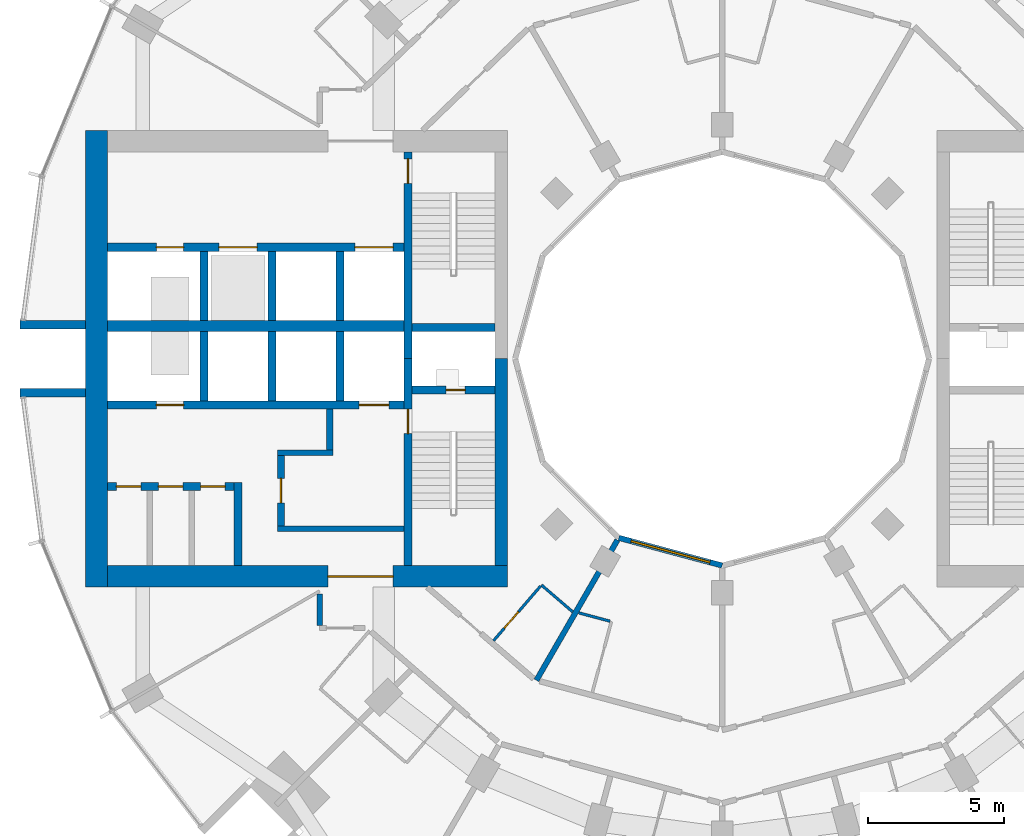
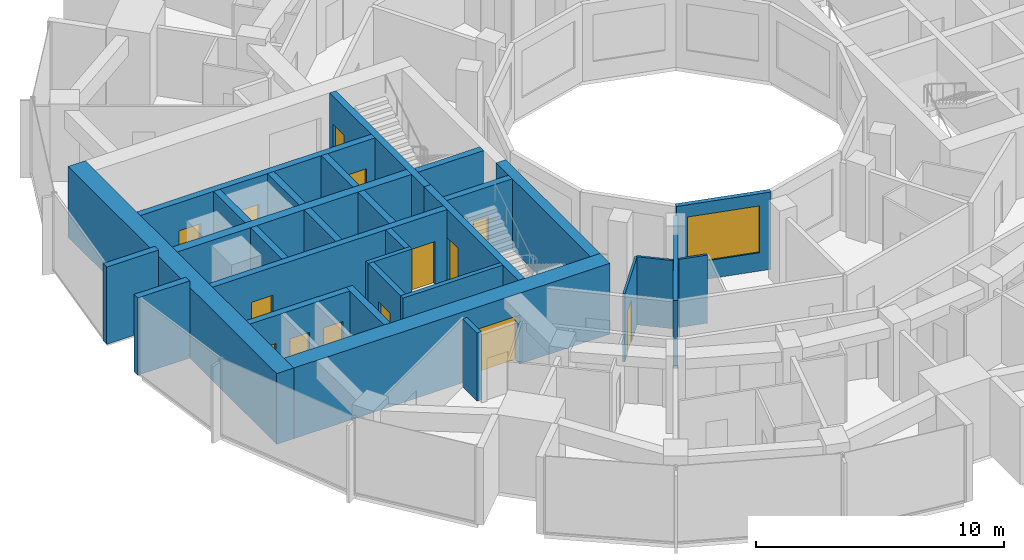
# One storey, part 9 of 15: 30 walls, 14 doors, 1 window, 15 openings.
"""IFC4 building model written with IfcOpenShell, lengths in metres."""

from ifc_helpers import new_model, si_unit, direction, frame, frame_2d, origin, place, context, subcontext, project, spatial, rectangle, extrude, material, layer, layer_set, type_object, element, fill, save


model = new_model("IFC4")

# Units and contexts
model_context = context("Model", 3, precision=1e-05, world=origin(), true_north=direction((0.0, 1.0)))
body_context = subcontext(model_context, "Body", "Model", "MODEL_VIEW")
ifc_project = project(units=[si_unit("LENGTHUNIT", "METRE"), si_unit("AREAUNIT", "SQUARE_METRE"), si_unit("VOLUMEUNIT", "CUBIC_METRE"), si_unit("PLANEANGLEUNIT", "RADIAN"), si_unit("MASSUNIT", "GRAM", prefix="KILO")], contexts=[model_context])

# Site, building, storey
site_placement = place(None, origin())
site = spatial("IfcSite", under=ifc_project, at=site_placement, CompositionType="ELEMENT")
building_placement = place(site_placement, origin())
building = spatial("IfcBuilding", under=site, at=building_placement, Name="Torre Brocal", CompositionType="ELEMENT")
storey_placement = place(building_placement, frame((0.0, 0.0, 59.199951171875)))
storey = spatial("IfcBuildingStorey", under=building, at=storey_placement, Name="L13", CompositionType="ELEMENT", Elevation=59.199951171875)

# Walls
ifc_material_1 = material(Name="Concrete C80", Category="concrete")
ifc_layer_1 = layer(ifc_material_1, 0.199951171875)
ifc_layer_set_1 = layer_set([ifc_layer_1], Name="Concrete C80")
wall_type_1 = type_object("IfcWallType", Name="CORE WALL 200 C80", PredefinedType="SHEAR", material=ifc_layer_set_1)
wall_1_placement = place(storey_placement, frame((68.300048828125, 68.75, 0.0), z_axis=(0.0, 0.0, 1.0), x_axis=(-1.0, 0.0, 0.0)))
element("IfcWall", 1, at=wall_1_placement, inside=storey, type_object=wall_type_1, Name="Wall CW200-80", PredefinedType="SHEAR", context=body_context, shape_type="SweptSolid", body=[
    extrude(rectangle(XDim=4.650146484375, YDim=0.199951171875, at=frame_2d((2.3251953125, 0.0))), origin(), (0.0, 0.0, 1.0), 3.47998046875),
])
wall_2_placement = place(storey_placement, frame((65.699951171875, 71.550048828125, 0.0), z_axis=(0.0, 0.0, 1.0), x_axis=(-1.0, 0.0, 0.0)))
element("IfcWall", 2, at=wall_2_placement, inside=storey, type_object=wall_type_1, Name="Wall CW200-80", PredefinedType="SHEAR", context=body_context, shape_type="SweptSolid", body=[
    extrude(rectangle(XDim=2.050048828125, YDim=0.199951171875, at=frame_2d((1.02490234375, 0.0))), origin(), (0.0, 0.0, 1.0), 3.47998046875),
])

# Wall, opening, door
ifc_material_2 = material(Name="Concrete C80", Category="concrete")
ifc_layer_2 = layer(ifc_material_2, 0.25)
ifc_layer_set_2 = layer_set([ifc_layer_2], Name="Concrete C80")
wall_type_2 = type_object("IfcWallType", Name="CORE WALL 250 C80", PredefinedType="SHEAR", material=ifc_layer_set_2)
wall_3_placement = place(storey_placement, frame((63.77490234375, 71.449951171875, 0.0), z_axis=(0.0, 0.0, 1.0), x_axis=(0.0, -1.0, 0.0)))
wall_3 = element("IfcWall", 3, at=wall_3_placement, inside=storey, type_object=wall_type_2, Name="Wall CW250-80", PredefinedType="SHEAR", context=body_context, shape_type="SweptSolid", body=[
    extrude(rectangle(XDim=2.599853515625, YDim=0.25, at=frame_2d((1.2998046875, 0.0))), origin(), (0.0, 0.0, 1.0), 3.47998046875),
])
opening_1_placement = place(wall_3_placement, frame((0.85009765625, 0.0, 0.0)))
opening_1 = element("IfcOpeningElement", 4, at=opening_1_placement, cuts=wall_3, Name="Opening W-D15", PredefinedType="OPENING", context=body_context, shape_type="SweptSolid", body=[
    extrude(rectangle(XDim=0.89990234375, YDim=2.10009765625, at=frame_2d((0.449951171875, 1.050048828125))), frame((0.0, 0.135009765625, 0.0), z_axis=(0.0, -1.0, 0.0), x_axis=(1.0, 0.0, 0.0)), (0.0, 0.0, 1.0), 0.27001953125),
])
ifc_material_3 = material(Name="Steel A653", Category="steel")
door_type_1 = type_object("IfcDoorType", Name="LOBBY DOOR FD120 900X2100", OperationType="SINGLE_SWING_RIGHT", PredefinedType="DOOR", material=ifc_material_3)
door_1_placement = place(opening_1_placement, origin())
door_1 = element("IfcDoor", 5, at=door_1_placement, inside=storey, type_object=door_type_1, Name="Door W-D15", OperationType="SINGLE_SWING_LEFT", OverallHeight=2.10009765625, OverallWidth=0.89990234375, PredefinedType="DOOR", context=body_context, shape_type="SweptSolid", body=[
    extrude(rectangle(XDim=0.89990234375, YDim=2.10009765625, at=frame_2d((0.449951171875, 1.050048828125))), frame((0.0, 0.02490234375, 0.0), z_axis=(0.0, -1.0, 0.0), x_axis=(1.0, 0.0, 0.0)), (0.0, 0.0, 1.0), 0.050048828125),
])
fill(opening_1, door_1)

# Wall
wall_4_placement = place(storey_placement, frame((65.574951171875, 73.14990234375, 0.0), z_axis=(0.0, 0.0, 1.0), x_axis=(0.0, -1.0, 0.0)))
element("IfcWall", 6, at=wall_4_placement, inside=storey, type_object=wall_type_2, Name="Wall CW250-80", PredefinedType="SHEAR", context=body_context, shape_type="SweptSolid", body=[
    extrude(rectangle(XDim=1.5, YDim=0.25, at=frame_2d((0.75, 0.0))), origin(), (0.0, 0.0, 1.0), 3.47998046875),
])

# Wall, opening, door
ifc_material_4 = material(Name="Concrete C80", Category="concrete")
ifc_layer_3 = layer(ifc_material_4, 0.300048828125)
ifc_layer_set_3 = layer_set([ifc_layer_3], Name="Concrete C80")
wall_type_3 = type_object("IfcWallType", Name="CORE WALL 300 C80", PredefinedType="SHEAR", material=ifc_layer_set_3)
wall_5_placement = place(storey_placement, frame((68.449951171875, 75.0, 0.0), z_axis=(0.0, 0.0, 1.0), x_axis=(0.0, -1.0, 0.0)))
wall_5 = element("IfcWall", 7, at=wall_5_placement, inside=storey, type_object=wall_type_3, Name="Wall CW300-80", PredefinedType="SHEAR", context=body_context, shape_type="SweptSolid", body=[
    extrude(rectangle(XDim=7.60009765625, YDim=0.300048828125, at=frame_2d((3.800048828125, 0.0))), origin(), (0.0, 0.0, 1.0), 3.47998046875),
])
opening_2_placement = place(wall_5_placement, frame((1.85009765625, 0.0, 0.0)))
opening_2 = element("IfcOpeningElement", 8, at=opening_2_placement, cuts=wall_5, Name="Opening W-D02", PredefinedType="OPENING", context=body_context, shape_type="SweptSolid", body=[
    extrude(rectangle(XDim=0.89990234375, YDim=2.10009765625, at=frame_2d((0.449951171875, 1.050048828125))), frame((0.0, 0.159912109375, 0.0), z_axis=(0.0, -1.0, 0.0), x_axis=(1.0, 0.0, 0.0)), (0.0, 0.0, 1.0), 0.320068359375),
])
ifc_material_5 = material(Name="Steel A653", Category="steel")
door_type_2 = type_object("IfcDoorType", Name="STAIR DOOR FD120 900X2100", OperationType="SINGLE_SWING_RIGHT", PredefinedType="DOOR", material=ifc_material_5)
door_2_placement = place(opening_2_placement, origin())
door_2 = element("IfcDoor", 9, at=door_2_placement, inside=storey, type_object=door_type_2, Name="Door W-D02", OperationType="SINGLE_SWING_LEFT", OverallHeight=2.10009765625, OverallWidth=0.89990234375, PredefinedType="DOOR", context=body_context, shape_type="SweptSolid", body=[
    extrude(rectangle(XDim=0.89990234375, YDim=2.10009765625, at=frame_2d((0.449951171875, 1.050048828125))), frame((0.0, 0.02490234375, 0.0), z_axis=(0.0, -1.0, 0.0), x_axis=(1.0, 0.0, 0.0)), (0.0, 0.0, 1.0), 0.050048828125),
])
fill(opening_2, door_2)

wall_6_placement = place(storey_placement, frame((68.449951171875, 82.60009765625, 0.0), z_axis=(0.0, 0.0, 1.0), x_axis=(0.0, -1.0, 0.0)))
wall_6 = element("IfcWall", 10, at=wall_6_placement, inside=storey, type_object=wall_type_3, Name="Wall CW300-80", PredefinedType="SHEAR", context=body_context, shape_type="SweptSolid", body=[
    extrude(rectangle(XDim=7.60009765625, YDim=0.300048828125, at=frame_2d((3.800048828125, 0.0))), origin(), (0.0, 0.0, 1.0), 3.47998046875),
])
opening_3_placement = place(wall_6_placement, frame((0.25, 0.0, 0.0)))
opening_3 = element("IfcOpeningElement", 11, at=opening_3_placement, cuts=wall_6, Name="Opening W-D03", PredefinedType="OPENING", context=body_context, shape_type="SweptSolid", body=[
    extrude(rectangle(XDim=0.89990234375, YDim=2.10009765625, at=frame_2d((0.449951171875, 1.050048828125))), frame((0.0, 0.159912109375, 0.0), z_axis=(0.0, -1.0, 0.0), x_axis=(1.0, 0.0, 0.0)), (0.0, 0.0, 1.0), 0.320068359375),
])
door_3_placement = place(opening_3_placement, origin())
door_3 = element("IfcDoor", 12, at=door_3_placement, inside=storey, type_object=door_type_2, Name="Door W-D03", OperationType="SINGLE_SWING_LEFT", OverallHeight=2.10009765625, OverallWidth=0.89990234375, PredefinedType="DOOR", context=body_context, shape_type="SweptSolid", body=[
    extrude(rectangle(XDim=0.89990234375, YDim=2.10009765625, at=frame_2d((0.449951171875, 1.050048828125))), frame((0.0, 0.02490234375, 0.0), z_axis=(0.0, -1.0, 0.0), x_axis=(1.0, 0.0, 0.0)), (0.0, 0.0, 1.0), 0.050048828125),
])
fill(opening_3, door_3)

wall_7_placement = place(storey_placement, frame((71.64990234375, 73.85009765625, 0.0), z_axis=(0.0, 0.0, 1.0), x_axis=(-1.0, 0.0, 0.0)))
wall_7 = element("IfcWall", 13, at=wall_7_placement, inside=storey, type_object=wall_type_3, Name="Wall CW300-80", PredefinedType="SHEAR", context=body_context, shape_type="SweptSolid", body=[
    extrude(rectangle(XDim=3.0498046875, YDim=0.300048828125, at=frame_2d((1.52490234375, 0.0))), origin(), (0.0, 0.0, 1.0), 3.47998046875),
])
opening_4_placement = place(wall_7_placement, frame((1.10009765625, 0.0, 0.0)))
opening_4 = element("IfcOpeningElement", 14, at=opening_4_placement, cuts=wall_7, Name="Opening W-D01", PredefinedType="OPENING", context=body_context, shape_type="SweptSolid", body=[
    extrude(rectangle(XDim=0.699951171875, YDim=2.0, at=frame_2d((0.35009765625, 1.0))), frame((0.0, 0.159912109375, 0.0), z_axis=(0.0, -1.0, 0.0), x_axis=(1.0, 0.0, 0.0)), (0.0, 0.0, 1.0), 0.320068359375),
])
ifc_material_6 = material(Name="Steel A653", Category="steel")
door_type_3 = type_object("IfcDoorType", Name="RISER DOOR FD120 700X2000", OperationType="SINGLE_SWING_LEFT", PredefinedType="DOOR", material=ifc_material_6)
door_4_placement = place(opening_4_placement, frame((0.699951171875, 0.0, 0.0), z_axis=(0.0, 0.0, 1.0), x_axis=(-1.0, 0.0, 0.0)))
door_4 = element("IfcDoor", 15, at=door_4_placement, inside=storey, type_object=door_type_3, Name="Door W-D01", OperationType="SINGLE_SWING_RIGHT", OverallHeight=2.0, OverallWidth=0.699951171875, PredefinedType="DOOR", context=body_context, shape_type="SweptSolid", body=[
    extrude(rectangle(XDim=0.699951171875, YDim=2.0, at=frame_2d((0.35009765625, 1.0))), frame((0.0, 0.02490234375, 0.0), z_axis=(0.0, -1.0, 0.0), x_axis=(1.0, 0.0, 0.0)), (0.0, 0.0, 1.0), 0.050048828125),
])
fill(opening_4, door_4)

# Wall
wall_8_placement = place(storey_placement, frame((71.64990234375, 76.14990234375, 0.0), z_axis=(0.0, 0.0, 1.0), x_axis=(-1.0, 0.0, 0.0)))
element("IfcWall", 16, at=wall_8_placement, inside=storey, type_object=wall_type_3, Name="Wall CW300-80", PredefinedType="SHEAR", context=body_context, shape_type="SweptSolid", body=[
    extrude(rectangle(XDim=3.0498046875, YDim=0.300048828125, at=frame_2d((1.52490234375, 0.0))), origin(), (0.0, 0.0, 1.0), 3.47998046875),
])

# Wall, openings, doors
wall_9_placement = place(storey_placement, frame((68.300048828125, 73.300048828125, 0.0), z_axis=(0.0, 0.0, 1.0), x_axis=(-1.0, 0.0, 0.0)))
wall_9 = element("IfcWall", 17, at=wall_9_placement, inside=storey, type_object=wall_type_3, Name="Wall CW300-80", PredefinedType="SHEAR", context=body_context, shape_type="SweptSolid", body=[
    extrude(rectangle(XDim=10.900146484375, YDim=0.300048828125, at=frame_2d((5.4501953125, 0.0))), origin(), (0.0, 0.0, 1.0), 3.47998046875),
])
opening_5_placement = place(wall_9_placement, frame((0.550048828125, 0.0, 0.0)))
opening_5 = element("IfcOpeningElement", 18, at=opening_5_placement, cuts=wall_9, Name="Opening LD", PredefinedType="OPENING", context=body_context, shape_type="SweptSolid", body=[
    extrude(rectangle(XDim=1.10009765625, YDim=2.10009765625, at=frame_2d((0.550048828125, 1.050048828125))), frame((0.0, 0.159912109375, 0.0), z_axis=(0.0, -1.0, 0.0), x_axis=(1.0, 0.0, 0.0)), (0.0, 0.0, 1.0), 0.320068359375),
])
opening_6_placement = place(wall_9_placement, frame((8.10009765625, 0.0, 0.0)))
opening_6 = element("IfcOpeningElement", 19, at=opening_6_placement, cuts=wall_9, Name="Opening LD10", PredefinedType="OPENING", context=body_context, shape_type="SweptSolid", body=[
    extrude(rectangle(XDim=1.0, YDim=2.10009765625, at=frame_2d((0.5, 1.050048828125))), frame((0.0, 0.159912109375, 0.0), z_axis=(0.0, -1.0, 0.0), x_axis=(1.0, 0.0, 0.0)), (0.0, 0.0, 1.0), 0.320068359375),
])
ifc_material_7 = material(Name="Stainless steel AISI 316", Category="steel")
door_type_4 = type_object("IfcDoorType", Name="LIFT LANDING DOOR 1000X2100", OperationType="DOUBLE_DOOR_SLIDING", PredefinedType="DOOR", material=ifc_material_7)
door_5_placement = place(opening_6_placement, origin())
door_5 = element("IfcDoor", 20, at=door_5_placement, inside=storey, type_object=door_type_4, Name="Door LD10", OperationType="DOUBLE_DOOR_SLIDING", OverallHeight=2.10009765625, OverallWidth=1.0, PredefinedType="DOOR", context=body_context, shape_type="SweptSolid", body=[
    extrude(rectangle(XDim=1.0, YDim=2.10009765625, at=frame_2d((0.5, 1.050048828125))), frame((0.0, 0.02490234375, 0.0), z_axis=(0.0, -1.0, 0.0), x_axis=(1.0, 0.0, 0.0)), (0.0, 0.0, 1.0), 0.050048828125),
])
fill(opening_6, door_5)
ifc_material_8 = material(Name="Stainless steel AISI 316", Category="steel")
door_type_5 = type_object("IfcDoorType", Name="LIFT LANDING DOOR 1100X2100", OperationType="DOUBLE_DOOR_SLIDING", PredefinedType="DOOR", material=ifc_material_8)
door_6_placement = place(opening_5_placement, origin())
door_6 = element("IfcDoor", 21, at=door_6_placement, inside=storey, type_object=door_type_5, Name="Door LD", OperationType="DOUBLE_DOOR_SLIDING", OverallHeight=2.10009765625, OverallWidth=1.10009765625, PredefinedType="DOOR", context=body_context, shape_type="SweptSolid", body=[
    extrude(rectangle(XDim=1.10009765625, YDim=2.10009765625, at=frame_2d((0.550048828125, 1.050048828125))), frame((0.0, 0.02490234375, 0.0), z_axis=(0.0, -1.0, 0.0), x_axis=(1.0, 0.0, 0.0)), (0.0, 0.0, 1.0), 0.050048828125),
])
fill(opening_5, door_6)

wall_10_placement = place(storey_placement, frame((68.300048828125, 79.10009765625, 0.0), z_axis=(0.0, 0.0, 1.0), x_axis=(-1.0, 0.0, 0.0)))
wall_10 = element("IfcWall", 22, at=wall_10_placement, inside=storey, type_object=wall_type_3, Name="Wall CW300-80", PredefinedType="SHEAR", context=body_context, shape_type="SweptSolid", body=[
    extrude(rectangle(XDim=10.900146484375, YDim=0.300048828125, at=frame_2d((5.4501953125, 0.0))), origin(), (0.0, 0.0, 1.0), 3.47998046875),
])
opening_7_placement = place(wall_10_placement, frame((0.39990234375, 0.0, 0.0)))
opening_7 = element("IfcOpeningElement", 23, at=opening_7_placement, cuts=wall_10, Name="Opening LD14", PredefinedType="OPENING", context=body_context, shape_type="SweptSolid", body=[
    extrude(rectangle(XDim=1.39990234375, YDim=2.10009765625, at=frame_2d((0.699951171875, 1.050048828125))), frame((0.0, 0.159912109375, 0.0), z_axis=(0.0, -1.0, 0.0), x_axis=(1.0, 0.0, 0.0)), (0.0, 0.0, 1.0), 0.320068359375),
])
opening_8_placement = place(wall_10_placement, frame((5.39990234375, 0.0, 0.0)))
opening_8 = element("IfcOpeningElement", 24, at=opening_8_placement, cuts=wall_10, Name="Opening LD14", PredefinedType="OPENING", context=body_context, shape_type="SweptSolid", body=[
    extrude(rectangle(XDim=1.39990234375, YDim=2.10009765625, at=frame_2d((0.699951171875, 1.050048828125))), frame((0.0, 0.159912109375, 0.0), z_axis=(0.0, -1.0, 0.0), x_axis=(1.0, 0.0, 0.0)), (0.0, 0.0, 1.0), 0.320068359375),
])
opening_9_placement = place(wall_10_placement, frame((8.10009765625, 0.0, 0.0)))
opening_9 = element("IfcOpeningElement", 25, at=opening_9_placement, cuts=wall_10, Name="Opening LD10", PredefinedType="OPENING", context=body_context, shape_type="SweptSolid", body=[
    extrude(rectangle(XDim=1.0, YDim=2.10009765625, at=frame_2d((0.5, 1.050048828125))), frame((0.0, 0.159912109375, 0.0), z_axis=(0.0, -1.0, 0.0), x_axis=(1.0, 0.0, 0.0)), (0.0, 0.0, 1.0), 0.320068359375),
])
door_7_placement = place(opening_9_placement, origin())
door_7 = element("IfcDoor", 26, at=door_7_placement, inside=storey, type_object=door_type_4, Name="Door LD10", OperationType="DOUBLE_DOOR_SLIDING", OverallHeight=2.10009765625, OverallWidth=1.0, PredefinedType="DOOR", context=body_context, shape_type="SweptSolid", body=[
    extrude(rectangle(XDim=1.0, YDim=2.10009765625, at=frame_2d((0.5, 1.050048828125))), frame((0.0, 0.02490234375, 0.0), z_axis=(0.0, -1.0, 0.0), x_axis=(1.0, 0.0, 0.0)), (0.0, 0.0, 1.0), 0.050048828125),
])
fill(opening_9, door_7)
ifc_material_9 = material(Name="Stainless steel AISI 316", Category="steel")
door_type_6 = type_object("IfcDoorType", Name="LIFT LANDING DOOR 1400X2100", OperationType="DOUBLE_DOOR_SLIDING", PredefinedType="DOOR", material=ifc_material_9)
door_8_placement = place(opening_7_placement, origin())
door_8 = element("IfcDoor", 27, at=door_8_placement, inside=storey, type_object=door_type_6, Name="Door LD14", OperationType="DOUBLE_DOOR_SLIDING", OverallHeight=2.10009765625, OverallWidth=1.39990234375, PredefinedType="DOOR", context=body_context, shape_type="SweptSolid", body=[
    extrude(rectangle(XDim=1.39990234375, YDim=2.10009765625, at=frame_2d((0.699951171875, 1.050048828125))), frame((0.0, 0.02490234375, 0.0), z_axis=(0.0, -1.0, 0.0), x_axis=(1.0, 0.0, 0.0)), (0.0, 0.0, 1.0), 0.050048828125),
])
fill(opening_7, door_8)
door_9_placement = place(opening_8_placement, origin())
door_9 = element("IfcDoor", 28, at=door_9_placement, inside=storey, type_object=door_type_6, Name="Door LD14", OperationType="DOUBLE_DOOR_SLIDING", OverallHeight=2.10009765625, OverallWidth=1.39990234375, PredefinedType="DOOR", context=body_context, shape_type="SweptSolid", body=[
    extrude(rectangle(XDim=1.39990234375, YDim=2.10009765625, at=frame_2d((0.699951171875, 1.050048828125))), frame((0.0, 0.02490234375, 0.0), z_axis=(0.0, -1.0, 0.0), x_axis=(1.0, 0.0, 0.0)), (0.0, 0.0, 1.0), 0.050048828125),
])
fill(opening_8, door_9)

# Walls
for number, where, z_axis, x_axis, name in (
    (29, (65.949951171875, 76.0, 0.0), (0.0, 0.0, 1.0), (0.0, -1.0, 0.0), "Wall CW300-80"),
    (30, (63.449951171875, 76.0, 0.0), (0.0, 0.0, 1.0), (0.0, -1.0, 0.0), "Wall CW300-80"),
    (31, (60.949951171875, 76.0, 0.0), (0.0, 0.0, 1.0), (0.0, -1.0, 0.0), "Wall CW300-80"),
    (32, (65.949951171875, 78.949951171875, 0.0), (0.0, 0.0, 1.0), (0.0, -1.0, 0.0), "Wall CW300-80"),
    (33, (63.449951171875, 78.949951171875, 0.0), (0.0, 0.0, 1.0), (0.0, -1.0, 0.0), "Wall CW300-80"),
    (34, (60.949951171875, 78.949951171875, 0.0), (0.0, 0.0, 1.0), (0.0, -1.0, 0.0), "Wall CW300-80"),
):
    element("IfcWall", number, at=place(storey_placement, frame(where, z_axis=z_axis, x_axis=x_axis)), inside=storey, type_object=wall_type_3, Name=name, PredefinedType="SHEAR", context=body_context, shape_type="SweptSolid", body=[
        extrude(rectangle(XDim=2.550048828125, YDim=0.300048828125, at=frame_2d((1.27490234375, 0.0))), origin(), (0.0, 0.0, 1.0), 3.47998046875),
    ])
wall_11_placement = place(storey_placement, frame((62.199951171875, 70.449951171875, 0.0), z_axis=(0.0, 0.0, 1.0), x_axis=(0.0, -1.0, 0.0)))
element("IfcWall", 35, at=wall_11_placement, inside=storey, type_object=wall_type_3, Name="Wall CW300-80", PredefinedType="SHEAR", context=body_context, shape_type="SweptSolid", body=[
    extrude(rectangle(XDim=3.050048828125, YDim=0.300048828125, at=frame_2d((1.52490234375, 0.0))), origin(), (0.0, 0.0, 1.0), 3.47998046875),
])

# Wall, openings, doors
wall_12_placement = place(storey_placement, frame((62.050048828125, 70.300048828125, 0.0), z_axis=(0.0, 0.0, 1.0), x_axis=(-1.0, 0.0, 0.0)))
wall_12 = element("IfcWall", 36, at=wall_12_placement, inside=storey, type_object=wall_type_3, Name="Wall CW300-80", PredefinedType="SHEAR", context=body_context, shape_type="SweptSolid", body=[
    extrude(rectangle(XDim=4.650146484375, YDim=0.300048828125, at=frame_2d((2.3251953125, 0.0))), origin(), (0.0, 0.0, 1.0), 3.47998046875),
])
opening_10_placement = place(wall_12_placement, frame((0.324951171875, 0.0, 0.0)))
opening_10 = element("IfcOpeningElement", 37, at=opening_10_placement, cuts=wall_12, Name="Opening W-D05", PredefinedType="OPENING", context=body_context, shape_type="SweptSolid", body=[
    extrude(rectangle(XDim=0.89990234375, YDim=2.10009765625, at=frame_2d((0.449951171875, 1.050048828125))), frame((0.0, 0.159912109375, 0.0), z_axis=(0.0, -1.0, 0.0), x_axis=(1.0, 0.0, 0.0)), (0.0, 0.0, 1.0), 0.320068359375),
])
opening_11_placement = place(wall_12_placement, frame((1.875, 0.0, 0.0)))
opening_11 = element("IfcOpeningElement", 38, at=opening_11_placement, cuts=wall_12, Name="Opening W-D06", PredefinedType="OPENING", context=body_context, shape_type="SweptSolid", body=[
    extrude(rectangle(XDim=0.89990234375, YDim=2.10009765625, at=frame_2d((0.449951171875, 1.050048828125))), frame((0.0, 0.159912109375, 0.0), z_axis=(0.0, -1.0, 0.0), x_axis=(1.0, 0.0, 0.0)), (0.0, 0.0, 1.0), 0.320068359375),
])
opening_12_placement = place(wall_12_placement, frame((3.425048828125, 0.0, 0.0)))
opening_12 = element("IfcOpeningElement", 39, at=opening_12_placement, cuts=wall_12, Name="Opening W-D07", PredefinedType="OPENING", context=body_context, shape_type="SweptSolid", body=[
    extrude(rectangle(XDim=0.89990234375, YDim=2.10009765625, at=frame_2d((0.449951171875, 1.050048828125))), frame((0.0, 0.159912109375, 0.0), z_axis=(0.0, -1.0, 0.0), x_axis=(1.0, 0.0, 0.0)), (0.0, 0.0, 1.0), 0.320068359375),
])
ifc_material_10 = material(Name="Steel A653", Category="steel")
door_type_7 = type_object("IfcDoorType", Name="ROOM DOOR FD30S 900X2100", OperationType="SINGLE_SWING_LEFT", PredefinedType="DOOR", material=ifc_material_10)
door_10_placement = place(opening_10_placement, origin())
door_10 = element("IfcDoor", 40, at=door_10_placement, inside=storey, type_object=door_type_7, Name="Door W-D05", OperationType="SINGLE_SWING_RIGHT", OverallHeight=2.10009765625, OverallWidth=0.89990234375, PredefinedType="DOOR", context=body_context, shape_type="SweptSolid", body=[
    extrude(rectangle(XDim=0.89990234375, YDim=2.10009765625, at=frame_2d((0.449951171875, 1.050048828125))), frame((0.0, 0.02490234375, 0.0), z_axis=(0.0, -1.0, 0.0), x_axis=(1.0, 0.0, 0.0)), (0.0, 0.0, 1.0), 0.050048828125),
])
fill(opening_10, door_10)
door_11_placement = place(opening_11_placement, origin())
door_11 = element("IfcDoor", 41, at=door_11_placement, inside=storey, type_object=door_type_7, Name="Door W-D06", OperationType="SINGLE_SWING_RIGHT", OverallHeight=2.10009765625, OverallWidth=0.89990234375, PredefinedType="DOOR", context=body_context, shape_type="SweptSolid", body=[
    extrude(rectangle(XDim=0.89990234375, YDim=2.10009765625, at=frame_2d((0.449951171875, 1.050048828125))), frame((0.0, 0.02490234375, 0.0), z_axis=(0.0, -1.0, 0.0), x_axis=(1.0, 0.0, 0.0)), (0.0, 0.0, 1.0), 0.050048828125),
])
fill(opening_11, door_11)
door_12_placement = place(opening_12_placement, origin())
door_12 = element("IfcDoor", 42, at=door_12_placement, inside=storey, type_object=door_type_7, Name="Door W-D07", OperationType="SINGLE_SWING_LEFT", OverallHeight=2.10009765625, OverallWidth=0.89990234375, PredefinedType="DOOR", context=body_context, shape_type="SweptSolid", body=[
    extrude(rectangle(XDim=0.89990234375, YDim=2.10009765625, at=frame_2d((0.449951171875, 1.050048828125))), frame((0.0, 0.02490234375, 0.0), z_axis=(0.0, -1.0, 0.0), x_axis=(1.0, 0.0, 0.0)), (0.0, 0.0, 1.0), 0.050048828125),
])
fill(opening_12, door_12)

# Walls
ifc_material_11 = material(Name="Concrete C80", Category="concrete")
ifc_layer_4 = layer(ifc_material_11, 0.39990234375)
ifc_layer_set_4 = layer_set([ifc_layer_4], Name="Concrete C80")
wall_type_4 = type_object("IfcWallType", Name="CORE WALL 400 C80", PredefinedType="SHEAR", material=ifc_layer_set_4)
wall_13_placement = place(storey_placement, frame((68.300048828125, 76.199951171875, 0.0), z_axis=(0.0, 0.0, 1.0), x_axis=(-1.0, 0.0, 0.0)))
element("IfcWall", 43, at=wall_13_placement, inside=storey, type_object=wall_type_4, Name="Wall CW400-80", PredefinedType="SHEAR", context=body_context, shape_type="SweptSolid", body=[
    extrude(rectangle(XDim=10.900146484375, YDim=0.39990234375, at=frame_2d((5.4501953125, 0.0))), origin(), (0.0, 0.0, 1.0), 3.47998046875),
])
ifc_material_12 = material(Name="Concrete C80", Category="concrete")
ifc_layer_5 = layer(ifc_material_12, 0.449951171875)
ifc_layer_set_5 = layer_set([ifc_layer_5], Name="Concrete C80")
wall_type_5 = type_object("IfcWallType", Name="CORE WALL 450 C80", PredefinedType="SHEAR", material=ifc_layer_set_5)
wall_14_placement = place(storey_placement, frame((71.875, 75.0, 0.0), z_axis=(0.0, 0.0, 1.0), x_axis=(0.0, -1.0, 0.0)))
element("IfcWall", 44, at=wall_14_placement, inside=storey, type_object=wall_type_5, Name="Wall CW450-80", PredefinedType="SHEAR", context=body_context, shape_type="SweptSolid", body=[
    extrude(rectangle(XDim=7.60009765625, YDim=0.449951171875, at=frame_2d((3.800048828125, 0.0))), origin(), (0.0, 0.0, 1.0), 3.47998046875),
])

# Wall, opening, door
ifc_material_13 = material(Name="Concrete C80", Category="concrete")
ifc_layer_6 = layer(ifc_material_13, 0.800048828125)
ifc_layer_set_6 = layer_set([ifc_layer_6], Name="Concrete C80")
wall_type_6 = type_object("IfcWallType", Name="CORE WALL 800 C80", PredefinedType="SHEAR", material=ifc_layer_set_6)
wall_15_placement = place(storey_placement, frame((72.10009765625, 67.0, 0.0), z_axis=(0.0, 0.0, 1.0), x_axis=(-1.0, 0.0, 0.0)))
wall_15 = element("IfcWall", 45, at=wall_15_placement, inside=storey, type_object=wall_type_6, Name="Wall CW800-80", PredefinedType="SHEAR", context=body_context, shape_type="SweptSolid", body=[
    extrude(rectangle(XDim=14.7001953125, YDim=0.800048828125, at=frame_2d((7.35009765625, 0.0))), origin(), (0.0, 0.0, 1.0), 3.47998046875),
])
opening_13_placement = place(wall_15_placement, frame((4.199951171875, 0.0, 0.0)))
opening_13 = element("IfcOpeningElement", 46, at=opening_13_placement, cuts=wall_15, Name="Opening W-D27", PredefinedType="OPENING", context=body_context, shape_type="SweptSolid", body=[
    extrude(rectangle(XDim=2.39990234375, YDim=2.39990234375, at=frame_2d((1.199951171875, 1.199951171875))), frame((0.0, 0.409912109375, 0.0), z_axis=(0.0, -1.0, 0.0), x_axis=(1.0, 0.0, 0.0)), (0.0, 0.0, 1.0), 0.820068359375),
])
ifc_material_14 = material(Name="Steel A653", Category="steel")
door_type_8 = type_object("IfcDoorType", Name="DOUBLE FIRE DOOR FD90 2400X2400", OperationType="DOUBLE_DOOR_SINGLE_SWING", PredefinedType="DOOR", material=ifc_material_14)
door_13_placement = place(opening_13_placement, frame((2.39990234375, 0.0, 0.0), z_axis=(0.0, 0.0, 1.0), x_axis=(-1.0, 0.0, 0.0)))
door_13 = element("IfcDoor", 47, at=door_13_placement, inside=storey, type_object=door_type_8, Name="Door W-D27", OperationType="DOUBLE_DOOR_SINGLE_SWING", OverallHeight=2.39990234375, OverallWidth=2.39990234375, PredefinedType="DOOR", context=body_context, shape_type="SweptSolid", body=[
    extrude(rectangle(XDim=2.39990234375, YDim=2.39990234375, at=frame_2d((1.199951171875, 1.199951171875))), frame((0.0, 0.02490234375, 0.0), z_axis=(0.0, -1.0, 0.0), x_axis=(1.0, 0.0, 0.0)), (0.0, 0.0, 1.0), 0.050048828125),
])
fill(opening_13, door_13)

# Walls
wall_16_placement = place(storey_placement, frame((57.0, 83.39990234375, 0.0), z_axis=(0.0, 0.0, 1.0), x_axis=(0.0, -1.0, 0.0)))
element("IfcWall", 48, at=wall_16_placement, inside=storey, type_object=wall_type_6, Name="Wall CW800-80", PredefinedType="SHEAR", context=body_context, shape_type="SweptSolid", body=[
    extrude(rectangle(XDim=16.7998046875, YDim=0.800048828125, at=frame_2d((8.39990234375, 0.0))), origin(), (0.0, 0.0, 1.0), 3.47998046875),
])
ifc_material_15 = material(Name="Concrete C80", Category="concrete")
ifc_layer_7 = layer(ifc_material_15, 0.300048828125)
ifc_layer_set_7 = layer_set([ifc_layer_7], Name="Concrete C80")
wall_type_7 = type_object("IfcWallType", Name="NOTCH RETURN WALL 300 C80", PredefinedType="NOTDEFINED", material=ifc_layer_set_7)
for number, where, z_axis, x_axis, name in (
    (49, (56.60009765625, 76.25, 0.0), (0.0, 0.0, 1.0), (-1.0, 0.0, 0.0), "NOTCH RETURN WALL"),
    (50, (56.60009765625, 73.75, 0.0), (0.0, 0.0, 1.0), (-1.0, 0.0, 0.0), "NOTCH RETURN WALL"),
):
    element("IfcWall", number, at=place(storey_placement, frame(where, z_axis=z_axis, x_axis=x_axis)), inside=storey, type_object=wall_type_7, Name=name, PredefinedType="NOTDEFINED", context=body_context, shape_type="SweptSolid", body=[
        extrude(rectangle(XDim=2.415771484375, YDim=0.300048828125, at=frame_2d((1.2080078125, 0.0))), origin(), (0.0, 0.0, 1.0), 3.800048828125),
    ])

# Wall, opening, door
ifc_material_16 = material(Name="Gypsum board", Category="Gypsum")
ifc_layer_8 = layer(ifc_material_16, 0.10009765625)
ifc_layer_set_8 = layer_set([ifc_layer_8], Name="Gypsum board")
wall_type_8 = type_object("IfcWallType", Name="PARTITION 100", PredefinedType="PARTITIONING", material=ifc_layer_set_8)
wall_17_placement = place(storey_placement, frame((71.59619140625, 64.634765625, 0.0), z_axis=(0.0, 0.0, 1.0), x_axis=(0.652285007511, 0.757973791748, 0.0)))
wall_17 = element("IfcWall", 51, at=wall_17_placement, inside=storey, type_object=wall_type_8, Name="BATHROOM WALL", PredefinedType="PARTITIONING", context=body_context, shape_type="SweptSolid", body=[
    extrude(rectangle(XDim=2.649658203125, YDim=0.10009765625, at=frame_2d((1.32470703125, 0.0))), origin(), (0.0, 0.0, 1.0), 3.35009765625),
])
opening_14_placement = place(wall_17_placement, frame((0.599609375, 0.0, 0.0)))
opening_14 = element("IfcOpeningElement", 52, at=opening_14_placement, cuts=wall_17, Name="Opening H03-D46", PredefinedType="OPENING", context=body_context, shape_type="SweptSolid", body=[
    extrude(rectangle(XDim=0.800048828125, YDim=2.10009765625, at=frame_2d((0.39990234375, 1.050048828125))), frame((0.0, 0.06005859375, 0.0), z_axis=(0.0, -1.0, 0.0), x_axis=(1.0, 0.0, 0.0)), (0.0, 0.0, 1.0), 0.1201171875),
])
ifc_material_17 = material(Name="Timber", Category="wood")
door_type_9 = type_object("IfcDoorType", Name="BATHROOM DOOR 800X2100", OperationType="SINGLE_SWING_LEFT", PredefinedType="DOOR", material=ifc_material_17)
door_14_placement = place(opening_14_placement, frame((0.800048828125, 0.0, 0.0), z_axis=(0.0, 0.0, 1.0), x_axis=(-1.0, 0.0, 0.0)))
door_14 = element("IfcDoor", 53, at=door_14_placement, inside=storey, type_object=door_type_9, Name="H03-D46", OperationType="SINGLE_SWING_RIGHT", OverallHeight=2.10009765625, OverallWidth=0.800048828125, PredefinedType="DOOR", context=body_context, shape_type="SweptSolid", body=[
    extrude(rectangle(XDim=0.800048828125, YDim=2.10009765625, at=frame_2d((0.39990234375, 1.050048828125))), frame((0.0, 0.02490234375, 0.0), z_axis=(0.0, -1.0, 0.0), x_axis=(1.0, 0.0, 0.0)), (0.0, 0.0, 1.0), 0.050048828125),
])
fill(opening_14, door_14)

# Walls
wall_18_placement = place(storey_placement, frame((73.35693359375, 66.680908203125, 0.0), z_axis=(0.0, 0.0, 1.0), x_axis=(0.758263469747, -0.651948242154, 0.0)))
element("IfcWall", 54, at=wall_18_placement, inside=storey, type_object=wall_type_8, Name="BATHROOM WALL", PredefinedType="PARTITIONING", context=body_context, shape_type="SweptSolid", body=[
    extrude(rectangle(XDim=1.510986328125, YDim=0.10009765625, at=frame_2d((0.75537109375, 0.0))), origin(), (0.0, 0.0, 1.0), 3.35009765625),
])
wall_19_placement = place(storey_placement, frame((74.729248046875, 65.657470703125, 0.0), z_axis=(0.0, 0.0, 1.0), x_axis=(0.965948051503, -0.258736085224, 0.0)))
element("IfcWall", 55, at=wall_19_placement, inside=storey, type_object=wall_type_8, Name="BATHROOM WALL", PredefinedType="PARTITIONING", context=body_context, shape_type="SweptSolid", body=[
    extrude(rectangle(XDim=1.18896484375, YDim=0.10009765625, at=frame_2d((0.594482421875, 0.0))), origin(), (0.0, 0.0, 1.0), 3.35009765625),
])
ifc_material_18 = material(Name="Gypsum board", Category="Gypsum")
ifc_layer_9 = layer(ifc_material_18, 0.199951171875)
ifc_layer_set_9 = layer_set([ifc_layer_9], Name="Gypsum board")
wall_type_9 = type_object("IfcWallType", Name="PARTITION 200 EI60", PredefinedType="PARTITIONING", material=ifc_layer_set_9)
wall_20_placement = place(storey_placement, frame((65.199951171875, 65.199951171875, 0.0), z_axis=(0.0, 0.0, 1.0), x_axis=(0.0, 1.0, 0.0)))
element("IfcWall", 56, at=wall_20_placement, inside=storey, type_object=wall_type_9, Name="GUESTROOM CORRIDOR WALL", PredefinedType="PARTITIONING", context=body_context, shape_type="SweptSolid", body=[
    extrude(rectangle(XDim=1.150146484375, YDim=0.199951171875, at=frame_2d((0.5751953125, 0.0))), origin(), (0.0, 0.0, 1.0), 3.35009765625),
])
wall_21_placement = place(storey_placement, frame((73.17041015625, 63.177490234375, 0.0), z_axis=(0.0, 0.0, 1.0), x_axis=(0.500239348149, 0.865887171959, 0.0)))
element("IfcWall", 57, at=wall_21_placement, inside=storey, type_object=wall_type_9, Name="BATHROOM WALL", PredefinedType="PARTITIONING", context=body_context, shape_type="SweptSolid", body=[
    extrude(rectangle(XDim=5.955078125, YDim=0.199951171875, at=frame_2d((2.9775390625, 0.0))), origin(), (0.0, 0.0, 1.0), 3.35009765625),
])

# Wall, opening, window
ifc_material_19 = material(Name="Concrete C40", Category="concrete")
ifc_layer_10 = layer(ifc_material_19, 0.199951171875)
ifc_layer_set_10 = layer_set([ifc_layer_10], Name="Concrete C40")
wall_type_10 = type_object("IfcWallType", Name="WELL FACADE WALL 200", PredefinedType="NOTDEFINED", material=ifc_layer_set_10)
wall_22_placement = place(storey_placement, frame((76.1982421875, 68.4150390625, 0.0), z_axis=(0.0, 0.0, 1.0), x_axis=(0.965933654434, -0.258789828301, 0.0)))
wall_22 = element("IfcWall", 58, at=wall_22_placement, inside=storey, type_object=wall_type_10, Name="WELL FACADE WALL", PredefinedType="NOTDEFINED", context=body_context, shape_type="SweptSolid", body=[
    extrude(rectangle(XDim=3.935791015625, YDim=0.199951171875, at=frame_2d((1.9677734375, 0.0))), origin(), (0.0, 0.0, 1.0), 3.800048828125),
])
opening_15_placement = place(wall_22_placement, frame((0.468017578125, 0.0, 0.89990234375)))
opening_15 = element("IfcOpeningElement", 59, at=opening_15_placement, cuts=wall_22, Name="Opening W1", PredefinedType="OPENING", context=body_context, shape_type="SweptSolid", body=[
    extrude(rectangle(XDim=3.0, YDim=2.300048828125, at=frame_2d((1.5, 1.14990234375))), frame((0.0, 0.10986328125, 0.0), z_axis=(0.0, -1.0, 0.0), x_axis=(1.0, 0.0, 0.0)), (0.0, 0.0, 1.0), 0.219970703125),
])
ifc_material_20 = material(Name="Aluminium and glass", Category="aluminium")
window_type = type_object("IfcWindowType", Name="WELL WINDOW 3000X2300", PartitioningType="SINGLE_PANEL", PredefinedType="WINDOW", material=ifc_material_20)
window_placement = place(opening_15_placement, origin())
window = element("IfcWindow", 60, at=window_placement, inside=storey, type_object=window_type, Name="WELL WINDOW 3000X2300", OverallHeight=2.300048828125, OverallWidth=3.0, PartitioningType="SINGLE_PANEL", PredefinedType="WINDOW", context=body_context, shape_type="SweptSolid", body=[
    extrude(rectangle(XDim=3.0, YDim=2.300048828125, at=frame_2d((1.5, 1.14990234375))), frame((0.0, 0.030029296875, 0.0), z_axis=(0.0, -1.0, 0.0), x_axis=(1.0, 0.0, 0.0)), (0.0, 0.0, 1.0), 0.06005859375),
])
fill(opening_15, window)

save(model, "model.ifc")
